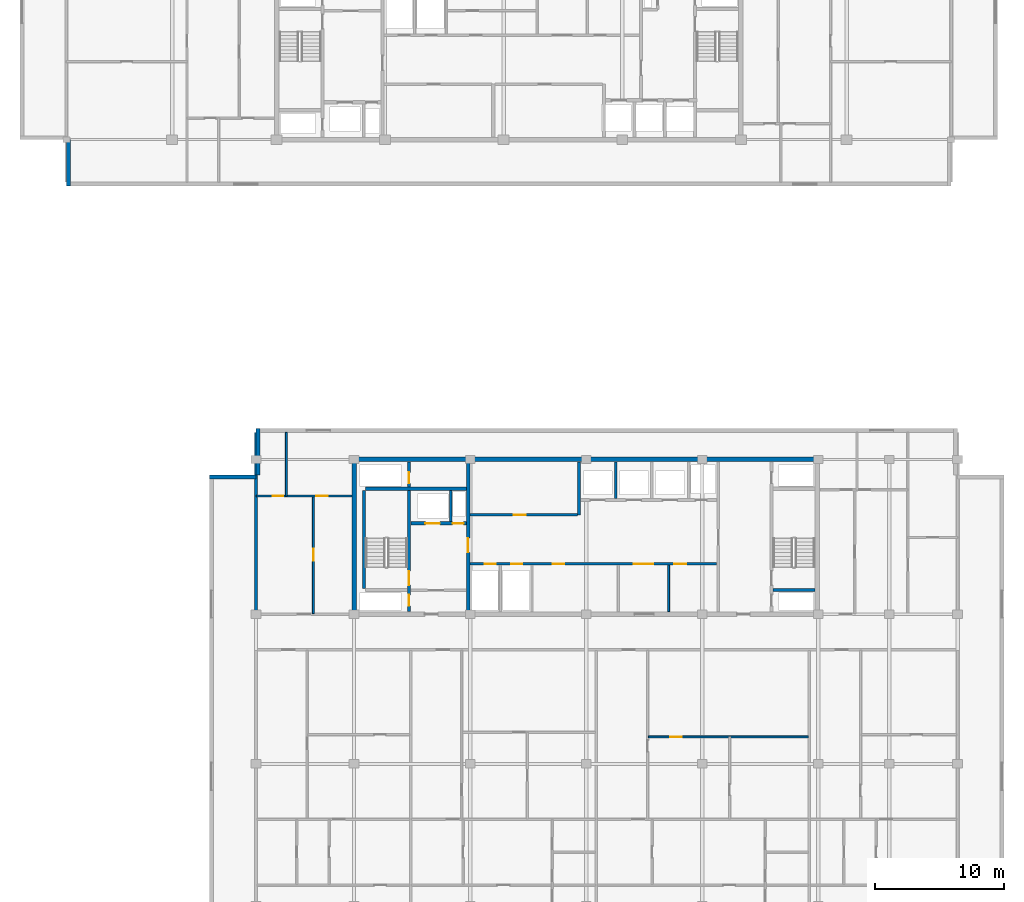
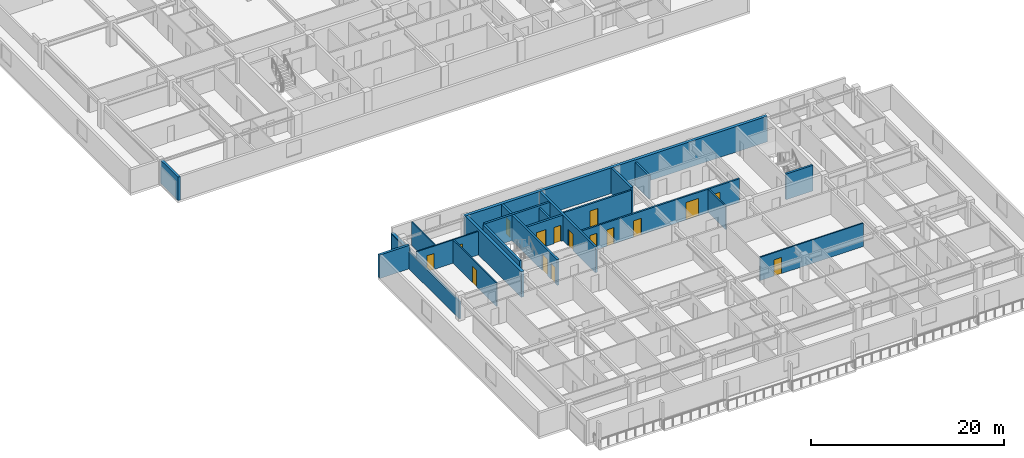
# One storey, part 6 of 21: 22 walls, 16 doors, 16 openings.
"""IFC4 building model written with IfcOpenShell, lengths in metres."""

from ifc_helpers import new_model, si_unit, direction, frame, frame_2d, origin, place, context, subcontext, project, spatial, rectangle, extrude, material, layer, layer_set, type_object, element, fill, save


model = new_model("IFC4")

# Units and contexts
model_context = context("Model", 3, precision=1e-05, world=origin(), true_north=direction((0.0, 1.0)))
body_context = subcontext(model_context, "Body", "Model", "MODEL_VIEW")
ifc_project = project(units=[si_unit("LENGTHUNIT", "METRE"), si_unit("AREAUNIT", "SQUARE_METRE"), si_unit("VOLUMEUNIT", "CUBIC_METRE"), si_unit("PLANEANGLEUNIT", "RADIAN"), si_unit("MASSUNIT", "GRAM", prefix="KILO")], contexts=[model_context])

# Site, building, storey
site_placement = place(None, origin())
site = spatial("IfcSite", under=ifc_project, at=site_placement, CompositionType="ELEMENT")
building_placement = place(site_placement, origin())
building = spatial("IfcBuilding", under=site, at=building_placement, Name="Korimba Cascade Residences", CompositionType="ELEMENT")
storey_placement = place(building_placement, frame((0.0, 0.0, 184.85009765625)))
storey = spatial("IfcBuildingStorey", under=building, at=storey_placement, Name="L53", CompositionType="ELEMENT", Elevation=184.85009765625)

# Walls
ifc_material_1 = material(Name="Precast concrete C40/50", Category="concrete")
ifc_layer_1 = layer(ifc_material_1, 0.300048828125)
ifc_layer_set_1 = layer_set([ifc_layer_1], Name="Precast concrete C40/50")
wall_type_1 = type_object("IfcWallType", Name="EW-STONE-300", PredefinedType="STANDARD", material=ifc_layer_set_1)
wall_1_placement = place(storey_placement, frame((59.949951171875, 55.199951171875, 0.0), z_axis=(0.0, 0.0, 1.0), x_axis=(0.0, -1.0, 0.0)))
element("IfcWall", 1, at=wall_1_placement, inside=storey, type_object=wall_type_1, Name="L53 T1 Perimeter Stone Wall E11", PredefinedType="STANDARD", context=body_context, shape_type="SweptSolid", body=[
    extrude(rectangle(XDim=3.599853515625, YDim=0.300048828125, at=frame_2d((1.7998046875, 0.0))), origin(), (0.0, 0.0, 1.0), 2.969970703125),
])
wall_2_placement = place(storey_placement, frame((74.64990234375, 32.800048828125, 0.0), z_axis=(0.0, 0.0, 1.0), x_axis=(0.0, -1.0, 0.0)))
element("IfcWall", 2, at=wall_2_placement, inside=storey, type_object=wall_type_1, Name="L53 T2 Perimeter Stone Wall E07", PredefinedType="STANDARD", context=body_context, shape_type="SweptSolid", body=[
    extrude(rectangle(XDim=3.60009765625, YDim=0.300048828125, at=frame_2d((1.800048828125, 0.0))), origin(), (0.0, 0.0, 1.0), 2.2001953125),
])
wall_3_placement = place(storey_placement, frame((74.5, 29.050048828125, 0.0), z_axis=(0.0, 0.0, 1.0), x_axis=(-1.0, 0.0, 0.0)))
element("IfcWall", 3, at=wall_3_placement, inside=storey, type_object=wall_type_1, Name="L53 T2 Perimeter Stone Wall E08", PredefinedType="STANDARD", context=body_context, shape_type="SweptSolid", body=[
    extrude(rectangle(XDim=3.60009765625, YDim=0.300048828125, at=frame_2d((1.800048828125, 0.0))), origin(), (0.0, 0.0, 1.0), 2.969970703125),
])
ifc_material_2 = material(Name="Concrete C65/80", Category="concrete")
ifc_layer_2 = layer(ifc_material_2, 0.35009765625)
ifc_layer_set_2 = layer_set([ifc_layer_2], Name="Concrete C65/80")
wall_type_2 = type_object("IfcWallType", Name="WAL-CORE-350", PredefinedType="SHEAR", material=ifc_layer_set_2)
wall_4_placement = place(storey_placement, frame((81.925048828125, 30.39990234375, 0.0), z_axis=(0.0, 0.0, 1.0), x_axis=(1.0, 0.0, 0.0)))
element("IfcWall", 4, at=wall_4_placement, inside=storey, type_object=wall_type_2, Name="L53 Core Shear Wall CW-L53-T2-N", PredefinedType="SHEAR", context=body_context, shape_type="SweptSolid", body=[
    extrude(rectangle(XDim=36.264892578125, YDim=0.35009765625, at=frame_2d((18.13232421875, 0.0))), origin(), (0.0, 0.0, 1.0), 3.25),
])
wall_5_placement = place(storey_placement, frame((82.10009765625, 18.574951171875, 0.0), z_axis=(0.0, 0.0, 1.0), x_axis=(0.0, 1.0, 0.0)))
element("IfcWall", 5, at=wall_5_placement, inside=storey, type_object=wall_type_2, Name="L53 Core Shear Wall CW-L53-T2-W", PredefinedType="SHEAR", context=body_context, shape_type="SweptSolid", body=[
    extrude(rectangle(XDim=11.650146484375, YDim=0.35009765625, at=frame_2d((5.8251953125, 0.0))), origin(), (0.0, 0.0, 1.0), 3.25),
])
ifc_layer_3 = layer(ifc_material_1, 0.199951171875)
ifc_layer_set_3 = layer_set([ifc_layer_3], Name="Precast concrete C40/50")
wall_type_3 = type_object("IfcWallType", Name="WAL-IT-200", PredefinedType="PARTITIONING", material=ifc_layer_set_3)
wall_6_placement = place(storey_placement, frame((74.5, 18.39990234375, 0.0), z_axis=(0.0, 0.0, 1.0), x_axis=(0.0, 1.0, 0.0)))
element("IfcWall", 6, at=wall_6_placement, inside=storey, type_object=wall_type_3, Name="L53 Partition Wall WAL-L53-T2-FW-WL", PredefinedType="PARTITIONING", context=body_context, shape_type="SweptSolid", body=[
    extrude(rectangle(XDim=14.10009765625, YDim=0.199951171875, at=frame_2d((7.050048828125, 0.0))), origin(), (0.0, 0.0, 1.0), 2.2001953125),
])
ifc_material_3 = material(Name="Insulated Acoustic Stud Partition", Category="gypsum")
ifc_layer_4 = layer(ifc_material_3, 0.14990234375)
ifc_layer_set_4 = layer_set([ifc_layer_4], Name="Insulated Acoustic Stud Partition")
wall_type_4 = type_object("IfcWallType", Name="WAL-PART-150", PredefinedType="PARTITIONING", material=ifc_layer_set_4)
wall_7_placement = place(storey_placement, frame((106.5, 18.60009765625, 0.0), z_axis=(0.0, 0.0, 1.0), x_axis=(0.0, 1.0, 0.0)))
element("IfcWall", 7, at=wall_7_placement, inside=storey, type_object=wall_type_4, Name="L53 Partition Wall CW-L53-T2-THE", PredefinedType="PARTITIONING", context=body_context, shape_type="SweptSolid", body=[
    extrude(rectangle(XDim=3.599853515625, YDim=0.14990234375, at=frame_2d((1.7998046875, 0.0))), origin(), (0.0, 0.0, 1.0), 2.969970703125),
])

# Wall, opening, door
wall_8_placement = place(storey_placement, frame((78.945068359375, 18.449951171875, 0.0), z_axis=(0.0, 0.0, 1.0), x_axis=(0.0, 1.0, 0.0)))
wall_8 = element("IfcWall", 8, at=wall_8_placement, inside=storey, type_object=wall_type_4, Name="L53 Partition Wall WAL-L53-T2-FW-VS", PredefinedType="PARTITIONING", context=body_context, shape_type="SweptSolid", body=[
    extrude(rectangle(XDim=9.1201171875, YDim=0.14990234375, at=frame_2d((4.56005859375, 0.0))), origin(), (0.0, 0.0, 1.0), 2.969970703125),
])
opening_1_placement = place(wall_8_placement, frame((4.10009765625, 0.0, 0.0)))
opening_1 = element("IfcOpeningElement", 9, at=opening_1_placement, cuts=wall_8, Name="Opening D-IN1", PredefinedType="OPENING", context=body_context, shape_type="SweptSolid", body=[
    extrude(rectangle(XDim=0.919921875, YDim=2.080078125, at=frame_2d((0.4599609375, 1.0400390625))), frame((0.0, 0.0849609375, 0.0), z_axis=(0.0, -1.0, 0.0), x_axis=(1.0, 0.0, 0.0)), (0.0, 0.0, 1.0), 0.169921875),
])
ifc_material_4 = material(Name="Acoustic Timber Living Door", Category="wood")
door_type_1 = type_object("IfcDoorType", Name="DR-INT-920", OperationType="NOTDEFINED", PredefinedType="DOOR", material=ifc_material_4)
door_1_placement = place(opening_1_placement, origin())
door_1 = element("IfcDoor", 10, at=door_1_placement, inside=storey, type_object=door_type_1, Name="L53-T2-FW Living Door", OperationType="SINGLE_SWING_RIGHT", OverallHeight=2.080078125, OverallWidth=0.919921875, PredefinedType="DOOR", context=body_context, shape_type="SweptSolid", body=[
    extrude(rectangle(XDim=0.919921875, YDim=2.080078125, at=frame_2d((0.4599609375, 1.0400390625))), frame((0.0, 0.02490234375, 0.0), z_axis=(0.0, -1.0, 0.0), x_axis=(1.0, 0.0, 0.0)), (0.0, 0.0, 1.0), 0.050048828125),
])
fill(opening_1, door_1)

# Wall
wall_9_placement = place(storey_placement, frame((76.85009765625, 27.570068359375, 0.0), z_axis=(0.0, 0.0, 1.0), x_axis=(0.0, 1.0, 0.0)))
element("IfcWall", 11, at=wall_9_placement, inside=storey, type_object=wall_type_4, Name="L53 Partition Wall WAL-L53-T2-FW-VN", PredefinedType="PARTITIONING", context=body_context, shape_type="SweptSolid", body=[
    extrude(rectangle(XDim=4.929931640625, YDim=0.14990234375, at=frame_2d((2.46484375, 0.0))), origin(), (0.0, 0.0, 1.0), 2.969970703125),
])

# Wall, openings, doors
wall_10_placement = place(storey_placement, frame((74.52001953125, 27.570068359375, 0.0), z_axis=(0.0, 0.0, 1.0), x_axis=(1.0, 0.0, 0.0)))
wall_10 = element("IfcWall", 12, at=wall_10_placement, inside=storey, type_object=wall_type_4, Name="L53 Partition Wall WAL-L53-T2-FW-H", PredefinedType="PARTITIONING", context=body_context, shape_type="SweptSolid", body=[
    extrude(rectangle(XDim=7.409912109375, YDim=0.14990234375, at=frame_2d((3.705078125, 0.0))), origin(), (0.0, 0.0, 1.0), 2.969970703125),
])
opening_2_placement = place(wall_10_placement, frame((1.266357421875, 0.0, 0.0)))
opening_2 = element("IfcOpeningElement", 13, at=opening_2_placement, cuts=wall_10, Name="Opening D-BT1", PredefinedType="OPENING", context=body_context, shape_type="SweptSolid", body=[
    extrude(rectangle(XDim=0.840087890625, YDim=2.0400390625, at=frame_2d((0.419921875, 1.02001953125))), frame((0.0, 0.0849609375, 0.0), z_axis=(0.0, -1.0, 0.0), x_axis=(1.0, 0.0, 0.0)), (0.0, 0.0, 1.0), 0.169921875),
])
opening_3_placement = place(wall_10_placement, frame((4.64501953125, 0.0, 0.0)))
opening_3 = element("IfcOpeningElement", 14, at=opening_3_placement, cuts=wall_10, Name="Opening D-IN2", PredefinedType="OPENING", context=body_context, shape_type="SweptSolid", body=[
    extrude(rectangle(XDim=0.8798828125, YDim=2.06005859375, at=frame_2d((0.43994140625, 1.030029296875))), frame((0.0, 0.0849609375, 0.0), z_axis=(0.0, -1.0, 0.0), x_axis=(1.0, 0.0, 0.0)), (0.0, 0.0, 1.0), 0.169921875),
])
ifc_material_5 = material(Name="Moisture-Resistant Bathroom Timber Door", Category="wood")
door_type_2 = type_object("IfcDoorType", Name="DR-INT-850", OperationType="NOTDEFINED", PredefinedType="DOOR", material=ifc_material_5)
door_2_placement = place(opening_2_placement, origin())
door_2 = element("IfcDoor", 15, at=door_2_placement, inside=storey, type_object=door_type_2, Name="L53-T2-FW Bathroom Door", OperationType="SINGLE_SWING_LEFT", OverallHeight=2.0400390625, OverallWidth=0.840087890625, PredefinedType="DOOR", context=body_context, shape_type="SweptSolid", body=[
    extrude(rectangle(XDim=0.840087890625, YDim=2.0400390625, at=frame_2d((0.419921875, 1.02001953125))), frame((0.0, 0.02490234375, 0.0), z_axis=(0.0, -1.0, 0.0), x_axis=(1.0, 0.0, 0.0)), (0.0, 0.0, 1.0), 0.050048828125),
])
fill(opening_2, door_2)
ifc_material_6 = material(Name="Acoustic Timber Bedroom Door", Category="wood")
door_type_3 = type_object("IfcDoorType", Name="DR-INT-880", OperationType="NOTDEFINED", PredefinedType="DOOR", material=ifc_material_6)
door_3_placement = place(opening_3_placement, origin())
door_3 = element("IfcDoor", 16, at=door_3_placement, inside=storey, type_object=door_type_3, Name="L53-T2-FW Bedroom Door", OperationType="SINGLE_SWING_RIGHT", OverallHeight=2.06005859375, OverallWidth=0.8798828125, PredefinedType="DOOR", context=body_context, shape_type="SweptSolid", body=[
    extrude(rectangle(XDim=0.8798828125, YDim=2.06005859375, at=frame_2d((0.43994140625, 1.030029296875))), frame((0.0, 0.02490234375, 0.0), z_axis=(0.0, -1.0, 0.0), x_axis=(1.0, 0.0, 0.0)), (0.0, 0.0, 1.0), 0.050048828125),
])
fill(opening_3, door_3)

# Wall, opening, door
wall_11_placement = place(storey_placement, frame((104.921630859375, 8.885009765625, 0.0), z_axis=(0.0, 0.0, 1.0), x_axis=(1.0, 0.0, 0.0)))
wall_11 = element("IfcWall", 17, at=wall_11_placement, inside=storey, type_object=wall_type_4, Name="L53 Partition Wall WAL-L53-T2-U03-FMH", PredefinedType="PARTITIONING", context=body_context, shape_type="SweptSolid", body=[
    extrude(rectangle(XDim=12.40673828125, YDim=0.14990234375, at=frame_2d((6.203369140625, 0.0))), origin(), (0.0, 0.0, 1.0), 2.969970703125),
])
opening_4_placement = place(wall_11_placement, frame((1.708984375, 0.0, 0.0)))
opening_4 = element("IfcOpeningElement", 18, at=opening_4_placement, cuts=wall_11, Name="Opening D-IN2", PredefinedType="OPENING", context=body_context, shape_type="SweptSolid", body=[
    extrude(rectangle(XDim=0.8798828125, YDim=2.06005859375, at=frame_2d((0.43994140625, 1.030029296875))), frame((0.0, 0.0849609375, 0.0), z_axis=(0.0, -1.0, 0.0), x_axis=(1.0, 0.0, 0.0)), (0.0, 0.0, 1.0), 0.169921875),
])
door_4_placement = place(opening_4_placement, origin())
door_4 = element("IfcDoor", 19, at=door_4_placement, inside=storey, type_object=door_type_3, Name="L53-T2-U03 Library Salon Door", OperationType="SINGLE_SWING_RIGHT", OverallHeight=2.06005859375, OverallWidth=0.8798828125, PredefinedType="DOOR", context=body_context, shape_type="SweptSolid", body=[
    extrude(rectangle(XDim=0.8798828125, YDim=2.06005859375, at=frame_2d((0.43994140625, 1.030029296875))), frame((0.0, 0.02490234375, 0.0), z_axis=(0.0, -1.0, 0.0), x_axis=(1.0, 0.0, 0.0)), (0.0, 0.0, 1.0), 0.050048828125),
])
fill(opening_4, door_4)

# Wall
ifc_material_7 = material(Name="Concrete C40/50", Category="concrete")
ifc_layer_5 = layer(ifc_material_7, 0.199951171875)
ifc_layer_set_5 = layer_set([ifc_layer_5], Name="Concrete C40/50")
wall_type_5 = type_object("IfcWallType", Name="WAL-PART-200", PredefinedType="PARTITIONING", material=ifc_layer_set_5)
wall_12_placement = place(storey_placement, frame((89.60009765625, 25.580078125, 0.0), z_axis=(0.0, 0.0, 1.0), x_axis=(0.0, 1.0, 0.0)))
element("IfcWall", 20, at=wall_12_placement, inside=storey, type_object=wall_type_5, Name="L53 Partition Wall CW-L53-T2-FFLDIV", PredefinedType="PARTITIONING", context=body_context, shape_type="SweptSolid", body=[
    extrude(rectangle(XDim=2.419921875, YDim=0.199951171875, at=frame_2d((1.2099609375, 0.0))), origin(), (0.0, 0.0, 1.0), 2.969970703125),
])

# Wall, opening, door
wall_13_placement = place(storey_placement, frame((91.080078125, 26.10009765625, 0.0), z_axis=(0.0, 0.0, 1.0), x_axis=(1.0, 0.0, 0.0)))
wall_13 = element("IfcWall", 21, at=wall_13_placement, inside=storey, type_object=wall_type_5, Name="L53 Partition Wall CW-L53-T2-B1RS", PredefinedType="PARTITIONING", context=body_context, shape_type="SweptSolid", body=[
    extrude(rectangle(XDim=8.33984375, YDim=0.199951171875, at=frame_2d((4.169921875, 0.0))), origin(), (0.0, 0.0, 1.0), 2.969970703125),
])
opening_5_placement = place(wall_13_placement, frame((3.39990234375, 0.0, 0.0)))
opening_5 = element("IfcOpeningElement", 22, at=opening_5_placement, cuts=wall_13, Name="Opening D-ST1", PredefinedType="OPENING", context=body_context, shape_type="SweptSolid", body=[
    extrude(rectangle(XDim=0.919921875, YDim=2.080078125, at=frame_2d((0.4599609375, 1.0400390625))), frame((0.0, 0.10986328125, 0.0), z_axis=(0.0, -1.0, 0.0), x_axis=(1.0, 0.0, 0.0)), (0.0, 0.0, 1.0), 0.219970703125),
])
ifc_material_8 = material(Name="Fire-Rated Core Store Door", Category="wood")
door_type_4 = type_object("IfcDoorType", Name="DR-FD60-920", OperationType="NOTDEFINED", PredefinedType="DOOR", material=ifc_material_8)
door_5_placement = place(opening_5_placement, origin())
door_5 = element("IfcDoor", 23, at=door_5_placement, inside=storey, type_object=door_type_4, Name="L53 T2 Resident Storage Door", OperationType="SINGLE_SWING_RIGHT", OverallHeight=2.080078125, OverallWidth=0.919921875, PredefinedType="DOOR", context=body_context, shape_type="SweptSolid", body=[
    extrude(rectangle(XDim=0.919921875, YDim=2.080078125, at=frame_2d((0.4599609375, 1.0400390625))), frame((0.0, 0.02490234375, 0.0), z_axis=(0.0, -1.0, 0.0), x_axis=(1.0, 0.0, 0.0)), (0.0, 0.0, 1.0), 0.050048828125),
])
fill(opening_5, door_5)

# Wall
wall_14_placement = place(storey_placement, frame((102.39990234375, 27.3798828125, 0.0), z_axis=(0.0, 0.0, 1.0), x_axis=(0.0, 1.0, 0.0)))
element("IfcWall", 24, at=wall_14_placement, inside=storey, type_object=wall_type_5, Name="L53 Partition Wall CW-L53-T2-B2D1", PredefinedType="PARTITIONING", context=body_context, shape_type="SweptSolid", body=[
    extrude(rectangle(XDim=2.820068359375, YDim=0.199951171875, at=frame_2d((1.41015625, 0.0))), origin(), (0.0, 0.0, 1.0), 2.969970703125),
])

# Wall, openings, doors
wall_15_placement = place(storey_placement, frame((91.080078125, 22.300048828125, 0.0), z_axis=(0.0, 0.0, 1.0), x_axis=(1.0, 0.0, 0.0)))
wall_15 = element("IfcWall", 25, at=wall_15_placement, inside=storey, type_object=wall_type_5, Name="L53 Partition Wall CW-L53-T2-SRVROW", PredefinedType="PARTITIONING", context=body_context, shape_type="SweptSolid", body=[
    extrude(rectangle(XDim=19.139892578125, YDim=0.199951171875, at=frame_2d((9.56982421875, 0.0))), origin(), (0.0, 0.0, 1.0), 2.969970703125),
])
opening_6_placement = place(wall_15_placement, frame((1.14990234375, 0.0, 0.0)))
opening_6 = element("IfcOpeningElement", 26, at=opening_6_placement, cuts=wall_15, Name="Opening D-RS1", PredefinedType="OPENING", context=body_context, shape_type="SweptSolid", body=[
    extrude(rectangle(XDim=0.85009765625, YDim=2.050048828125, at=frame_2d((0.425048828125, 1.02490234375))), frame((0.0, 0.10986328125, 0.0), z_axis=(0.0, -1.0, 0.0), x_axis=(1.0, 0.0, 0.0)), (0.0, 0.0, 1.0), 0.219970703125),
])
opening_7_placement = place(wall_15_placement, frame((3.199951171875, 0.0, 0.0)))
opening_7 = element("IfcOpeningElement", 27, at=opening_7_placement, cuts=wall_15, Name="Opening D-RS1", PredefinedType="OPENING", context=body_context, shape_type="SweptSolid", body=[
    extrude(rectangle(XDim=0.85009765625, YDim=2.050048828125, at=frame_2d((0.425048828125, 1.02490234375))), frame((0.0, 0.10986328125, 0.0), z_axis=(0.0, -1.0, 0.0), x_axis=(1.0, 0.0, 0.0)), (0.0, 0.0, 1.0), 0.219970703125),
])
opening_8_placement = place(wall_15_placement, frame((12.719970703125, 0.0, 0.0)))
opening_8 = element("IfcOpeningElement", 28, at=opening_8_placement, cuts=wall_15, Name="Opening D-FD8", PredefinedType="OPENING", context=body_context, shape_type="SweptSolid", body=[
    extrude(rectangle(XDim=1.5, YDim=2.199951171875, at=frame_2d((0.75, 1.10009765625))), frame((0.0, 0.10986328125, 0.0), z_axis=(0.0, -1.0, 0.0), x_axis=(1.0, 0.0, 0.0)), (0.0, 0.0, 1.0), 0.219970703125),
])
opening_9_placement = place(wall_15_placement, frame((6.419921875, 0.0, 0.0)))
opening_9 = element("IfcOpeningElement", 29, at=opening_9_placement, cuts=wall_15, Name="Opening D-IN1", PredefinedType="OPENING", context=body_context, shape_type="SweptSolid", body=[
    extrude(rectangle(XDim=0.919921875, YDim=2.080078125, at=frame_2d((0.4599609375, 1.0400390625))), frame((0.0, 0.10986328125, 0.0), z_axis=(0.0, -1.0, 0.0), x_axis=(1.0, 0.0, 0.0)), (0.0, 0.0, 1.0), 0.219970703125),
])
opening_10_placement = place(wall_15_placement, frame((15.8701171875, 0.0, 0.0)))
opening_10 = element("IfcOpeningElement", 30, at=opening_10_placement, cuts=wall_15, Name="Opening D-IN1", PredefinedType="OPENING", context=body_context, shape_type="SweptSolid", body=[
    extrude(rectangle(XDim=0.919921875, YDim=2.080078125, at=frame_2d((0.4599609375, 1.0400390625))), frame((0.0, 0.10986328125, 0.0), z_axis=(0.0, -1.0, 0.0), x_axis=(1.0, 0.0, 0.0)), (0.0, 0.0, 1.0), 0.219970703125),
])
ifc_material_9 = material(Name="Fire-Rated Steel Riser Access Door", Category="steel")
door_type_5 = type_object("IfcDoorType", Name="DR-FD60-850", OperationType="NOTDEFINED", PredefinedType="DOOR", material=ifc_material_9)
door_6_placement = place(opening_6_placement, origin())
door_6 = element("IfcDoor", 31, at=door_6_placement, inside=storey, type_object=door_type_5, Name="L53 T2 Electrical Riser Door", OperationType="SINGLE_SWING_RIGHT", OverallHeight=2.050048828125, OverallWidth=0.85009765625, PredefinedType="DOOR", context=body_context, shape_type="SweptSolid", body=[
    extrude(rectangle(XDim=0.85009765625, YDim=2.050048828125, at=frame_2d((0.425048828125, 1.02490234375))), frame((0.0, 0.02490234375, 0.0), z_axis=(0.0, -1.0, 0.0), x_axis=(1.0, 0.0, 0.0)), (0.0, 0.0, 1.0), 0.050048828125),
])
fill(opening_6, door_6)
door_7_placement = place(opening_7_placement, origin())
door_7 = element("IfcDoor", 32, at=door_7_placement, inside=storey, type_object=door_type_5, Name="L53 T2 Plumbing Riser Door", OperationType="SINGLE_SWING_LEFT", OverallHeight=2.050048828125, OverallWidth=0.85009765625, PredefinedType="DOOR", context=body_context, shape_type="SweptSolid", body=[
    extrude(rectangle(XDim=0.85009765625, YDim=2.050048828125, at=frame_2d((0.425048828125, 1.02490234375))), frame((0.0, 0.02490234375, 0.0), z_axis=(0.0, -1.0, 0.0), x_axis=(1.0, 0.0, 0.0)), (0.0, 0.0, 1.0), 0.050048828125),
])
fill(opening_7, door_7)
ifc_material_10 = material(Name="Fire-Rated Glazed Lift Lobby Double Door", Category="glass")
door_type_6 = type_object("IfcDoorType", Name="DR-FD90-1500", OperationType="NOTDEFINED", PredefinedType="DOOR", material=ifc_material_10)
door_8_placement = place(opening_8_placement, origin())
door_8 = element("IfcDoor", 33, at=door_8_placement, inside=storey, type_object=door_type_6, Name="L53 T2 Lift Lobby Foyer Door", OperationType="DOUBLE_DOOR_SINGLE_SWING", OverallHeight=2.199951171875, OverallWidth=1.5, PredefinedType="DOOR", context=body_context, shape_type="SweptSolid", body=[
    extrude(rectangle(XDim=1.5, YDim=2.199951171875, at=frame_2d((0.75, 1.10009765625))), frame((0.0, 0.02490234375, 0.0), z_axis=(0.0, -1.0, 0.0), x_axis=(1.0, 0.0, 0.0)), (0.0, 0.0, 1.0), 0.050048828125),
])
fill(opening_8, door_8)
door_9_placement = place(opening_9_placement, origin())
door_9 = element("IfcDoor", 34, at=door_9_placement, inside=storey, type_object=door_type_1, Name="L53 T2 Housekeeping Door", OperationType="SINGLE_SWING_RIGHT", OverallHeight=2.080078125, OverallWidth=0.919921875, PredefinedType="DOOR", context=body_context, shape_type="SweptSolid", body=[
    extrude(rectangle(XDim=0.919921875, YDim=2.080078125, at=frame_2d((0.4599609375, 1.0400390625))), frame((0.0, 0.02490234375, 0.0), z_axis=(0.0, -1.0, 0.0), x_axis=(1.0, 0.0, 0.0)), (0.0, 0.0, 1.0), 0.050048828125),
])
fill(opening_9, door_9)
door_10_placement = place(opening_10_placement, origin())
door_10 = element("IfcDoor", 35, at=door_10_placement, inside=storey, type_object=door_type_1, Name="L53 T2 Store Door", OperationType="SINGLE_SWING_LEFT", OverallHeight=2.080078125, OverallWidth=0.919921875, PredefinedType="DOOR", context=body_context, shape_type="SweptSolid", body=[
    extrude(rectangle(XDim=0.919921875, YDim=2.080078125, at=frame_2d((0.4599609375, 1.0400390625))), frame((0.0, 0.02490234375, 0.0), z_axis=(0.0, -1.0, 0.0), x_axis=(1.0, 0.0, 0.0)), (0.0, 0.0, 1.0), 0.050048828125),
])
fill(opening_10, door_10)

# Wall
ifc_material_11 = material(Name="Concrete C50/60", Category="concrete")
ifc_layer_6 = layer(ifc_material_11, 0.25)
ifc_layer_set_6 = layer_set([ifc_layer_6], Name="Concrete C50/60")
wall_type_6 = type_object("IfcWallType", Name="WAL-SHAFT-250", PredefinedType="SHEAR", material=ifc_layer_set_6)
wall_16_placement = place(storey_placement, frame((82.875, 20.39990234375, 0.0), z_axis=(0.0, 0.0, 1.0), x_axis=(0.0, 1.0, 0.0)))
element("IfcWall", 36, at=wall_16_placement, inside=storey, type_object=wall_type_6, Name="L53 Core Shear Wall CW-L53-T2-STE1W", PredefinedType="SHEAR", context=body_context, shape_type="SweptSolid", body=[
    extrude(rectangle(XDim=7.60009765625, YDim=0.25, at=frame_2d((3.800048828125, 0.0))), origin(), (0.0, 0.0, 1.0), 3.25),
])

# Wall, openings, doors
wall_17_placement = place(storey_placement, frame((86.364990234375, 18.60009765625, 0.0), z_axis=(0.0, 0.0, 1.0), x_axis=(0.0, 1.0, 0.0)))
wall_17 = element("IfcWall", 37, at=wall_17_placement, inside=storey, type_object=wall_type_6, Name="L53 Core Shear Wall CW-L53-T2-STE1E", PredefinedType="SHEAR", context=body_context, shape_type="SweptSolid", body=[
    extrude(rectangle(XDim=11.599853515625, YDim=0.25, at=frame_2d((5.7998046875, 0.0))), origin(), (0.0, 0.0, 1.0), 3.25),
])
opening_11_placement = place(wall_17_placement, frame((0.449951171875, 0.0, 0.0)))
opening_11 = element("IfcOpeningElement", 38, at=opening_11_placement, cuts=wall_17, Name="Opening D-RS1", PredefinedType="OPENING", context=body_context, shape_type="SweptSolid", body=[
    extrude(rectangle(XDim=0.85009765625, YDim=2.050048828125, at=frame_2d((0.425048828125, 1.02490234375))), frame((0.0, 0.135009765625, 0.0), z_axis=(0.0, -1.0, 0.0), x_axis=(1.0, 0.0, 0.0)), (0.0, 0.0, 1.0), 0.27001953125),
])
opening_12_placement = place(wall_17_placement, frame((2.050048828125, 0.0, 0.0)))
opening_12 = element("IfcOpeningElement", 39, at=opening_12_placement, cuts=wall_17, Name="Opening D-FD1", PredefinedType="OPENING", context=body_context, shape_type="SweptSolid", body=[
    extrude(rectangle(XDim=1.10009765625, YDim=2.10009765625, at=frame_2d((0.550048828125, 1.050048828125))), frame((0.0, 0.135009765625, 0.0), z_axis=(0.0, -1.0, 0.0), x_axis=(1.0, 0.0, 0.0)), (0.0, 0.0, 1.0), 0.27001953125),
])
opening_13_placement = place(wall_17_placement, frame((9.949951171875, 0.0, 0.0)))
opening_13 = element("IfcOpeningElement", 40, at=opening_13_placement, cuts=wall_17, Name="Opening D-RS1", PredefinedType="OPENING", context=body_context, shape_type="SweptSolid", body=[
    extrude(rectangle(XDim=0.85009765625, YDim=2.050048828125, at=frame_2d((0.425048828125, 1.02490234375))), frame((0.0, 0.135009765625, 0.0), z_axis=(0.0, -1.0, 0.0), x_axis=(1.0, 0.0, 0.0)), (0.0, 0.0, 1.0), 0.27001953125),
])
ifc_material_12 = material(Name="Fire-Rated Steel Core Door", Category="steel")
door_type_7 = type_object("IfcDoorType", Name="DR-FD120-1100", OperationType="NOTDEFINED", PredefinedType="DOOR", material=ifc_material_12)
door_11_placement = place(opening_12_placement, origin())
door_11 = element("IfcDoor", 41, at=door_11_placement, inside=storey, type_object=door_type_7, Name="L53 Fire Stair ST-E1 Door", OperationType="SINGLE_SWING_LEFT", OverallHeight=2.10009765625, OverallWidth=1.10009765625, PredefinedType="DOOR", context=body_context, shape_type="SweptSolid", body=[
    extrude(rectangle(XDim=1.10009765625, YDim=2.10009765625, at=frame_2d((0.550048828125, 1.050048828125))), frame((0.0, 0.02490234375, 0.0), z_axis=(0.0, -1.0, 0.0), x_axis=(1.0, 0.0, 0.0)), (0.0, 0.0, 1.0), 0.050048828125),
])
fill(opening_12, door_11)
door_12_placement = place(opening_11_placement, origin())
door_12 = element("IfcDoor", 42, at=door_12_placement, inside=storey, type_object=door_type_5, Name="L53 T2 Hydrant Riser Door", OperationType="SINGLE_SWING_RIGHT", OverallHeight=2.050048828125, OverallWidth=0.85009765625, PredefinedType="DOOR", context=body_context, shape_type="SweptSolid", body=[
    extrude(rectangle(XDim=0.85009765625, YDim=2.050048828125, at=frame_2d((0.425048828125, 1.02490234375))), frame((0.0, 0.02490234375, 0.0), z_axis=(0.0, -1.0, 0.0), x_axis=(1.0, 0.0, 0.0)), (0.0, 0.0, 1.0), 0.050048828125),
])
fill(opening_11, door_12)
door_13_placement = place(opening_13_placement, origin())
door_13 = element("IfcDoor", 43, at=door_13_placement, inside=storey, type_object=door_type_5, Name="L53 T2 Smoke Shaft Door", OperationType="SINGLE_SWING_RIGHT", OverallHeight=2.050048828125, OverallWidth=0.85009765625, PredefinedType="DOOR", context=body_context, shape_type="SweptSolid", body=[
    extrude(rectangle(XDim=0.85009765625, YDim=2.050048828125, at=frame_2d((0.425048828125, 1.02490234375))), frame((0.0, 0.02490234375, 0.0), z_axis=(0.0, -1.0, 0.0), x_axis=(1.0, 0.0, 0.0)), (0.0, 0.0, 1.0), 0.050048828125),
])
fill(opening_13, door_13)

# Wall
wall_18_placement = place(storey_placement, frame((83.0, 28.125, 0.0), z_axis=(0.0, 0.0, 1.0), x_axis=(1.0, 0.0, 0.0)))
element("IfcWall", 44, at=wall_18_placement, inside=storey, type_object=wall_type_6, Name="L53 Core Shear Wall CW-L53-T2-STE1N", PredefinedType="SHEAR", context=body_context, shape_type="SweptSolid", body=[
    extrude(rectangle(XDim=7.820068359375, YDim=0.25, at=frame_2d((3.91015625, 0.0))), origin(), (0.0, 0.0, 1.0), 3.25),
])

# Wall, openings, doors
wall_19_placement = place(storey_placement, frame((86.5, 25.449951171875, 0.0), z_axis=(0.0, 0.0, 1.0), x_axis=(1.0, 0.0, 0.0)))
wall_19 = element("IfcWall", 45, at=wall_19_placement, inside=storey, type_object=wall_type_6, Name="L53 Core Shear Wall CW-L53-T2-FFLN", PredefinedType="SHEAR", context=body_context, shape_type="SweptSolid", body=[
    extrude(rectangle(XDim=4.320068359375, YDim=0.25, at=frame_2d((2.16015625, 0.0))), origin(), (0.0, 0.0, 1.0), 3.25),
])
opening_14_placement = place(wall_19_placement, frame((1.139892578125, 0.0, 0.0)))
opening_14 = element("IfcOpeningElement", 46, at=opening_14_placement, cuts=wall_19, Name="Opening LD-01", PredefinedType="OPENING", context=body_context, shape_type="SweptSolid", body=[
    extrude(rectangle(XDim=1.1201171875, YDim=2.1201171875, at=frame_2d((0.56005859375, 1.06005859375))), frame((0.0, 0.135009765625, 0.0), z_axis=(0.0, -1.0, 0.0), x_axis=(1.0, 0.0, 0.0)), (0.0, 0.0, 1.0), 0.27001953125),
])
opening_15_placement = place(wall_19_placement, frame((3.25, 0.0, 0.0)))
opening_15 = element("IfcOpeningElement", 47, at=opening_15_placement, cuts=wall_19, Name="Opening D-RS1", PredefinedType="OPENING", context=body_context, shape_type="SweptSolid", body=[
    extrude(rectangle(XDim=0.85009765625, YDim=2.050048828125, at=frame_2d((0.425048828125, 1.02490234375))), frame((0.0, 0.135009765625, 0.0), z_axis=(0.0, -1.0, 0.0), x_axis=(1.0, 0.0, 0.0)), (0.0, 0.0, 1.0), 0.27001953125),
])
door_14_placement = place(opening_15_placement, origin())
door_14 = element("IfcDoor", 48, at=door_14_placement, inside=storey, type_object=door_type_5, Name="L53 T2 Pressurisation Riser Door", OperationType="SINGLE_SWING_LEFT", OverallHeight=2.050048828125, OverallWidth=0.85009765625, PredefinedType="DOOR", context=body_context, shape_type="SweptSolid", body=[
    extrude(rectangle(XDim=0.85009765625, YDim=2.050048828125, at=frame_2d((0.425048828125, 1.02490234375))), frame((0.0, 0.02490234375, 0.0), z_axis=(0.0, -1.0, 0.0), x_axis=(1.0, 0.0, 0.0)), (0.0, 0.0, 1.0), 0.050048828125),
])
fill(opening_15, door_14)
ifc_material_13 = material(Name="Stainless Steel Lift Landing Sliding Door", Category="steel")
door_type_8 = type_object("IfcDoorType", Name="DR-LIFT-1100", OperationType="NOTDEFINED", PredefinedType="DOOR", material=ifc_material_13)
door_15_placement = place(opening_14_placement, origin())
door_15 = element("IfcDoor", 49, at=door_15_placement, inside=storey, type_object=door_type_8, Name="L53 Firefighting Lift Landing Door FFL-E1", OperationType="SLIDING_TO_RIGHT", OverallHeight=2.1201171875, OverallWidth=1.1201171875, PredefinedType="DOOR", context=body_context, shape_type="SweptSolid", body=[
    extrude(rectangle(XDim=1.1201171875, YDim=2.1201171875, at=frame_2d((0.56005859375, 1.06005859375))), frame((0.0, 0.02490234375, 0.0), z_axis=(0.0, -1.0, 0.0), x_axis=(1.0, 0.0, 0.0)), (0.0, 0.0, 1.0), 0.050048828125),
])
fill(opening_14, door_15)

# Wall, opening, door
wall_20_placement = place(storey_placement, frame((90.949951171875, 18.60009765625, 0.0), z_axis=(0.0, 0.0, 1.0), x_axis=(0.0, 1.0, 0.0)))
wall_20 = element("IfcWall", 50, at=wall_20_placement, inside=storey, type_object=wall_type_6, Name="L53 Core Shear Wall CW-L53-T2-FFLE", PredefinedType="SHEAR", context=body_context, shape_type="SweptSolid", body=[
    extrude(rectangle(XDim=11.599853515625, YDim=0.25, at=frame_2d((5.7998046875, 0.0))), origin(), (0.0, 0.0, 1.0), 3.25),
])
opening_16_placement = place(wall_20_placement, frame((4.60009765625, 0.0, 0.0)))
opening_16 = element("IfcOpeningElement", 51, at=opening_16_placement, cuts=wall_20, Name="Opening D-FD1", PredefinedType="OPENING", context=body_context, shape_type="SweptSolid", body=[
    extrude(rectangle(XDim=1.10009765625, YDim=2.10009765625, at=frame_2d((0.550048828125, 1.050048828125))), frame((0.0, 0.135009765625, 0.0), z_axis=(0.0, -1.0, 0.0), x_axis=(1.0, 0.0, 0.0)), (0.0, 0.0, 1.0), 0.27001953125),
])
door_16_placement = place(opening_16_placement, origin())
door_16 = element("IfcDoor", 52, at=door_16_placement, inside=storey, type_object=door_type_7, Name="L53 T2 Firefighting Lobby to Lift Lobby Door", OperationType="SINGLE_SWING_LEFT", OverallHeight=2.10009765625, OverallWidth=1.10009765625, PredefinedType="DOOR", context=body_context, shape_type="SweptSolid", body=[
    extrude(rectangle(XDim=1.10009765625, YDim=2.10009765625, at=frame_2d((0.550048828125, 1.050048828125))), frame((0.0, 0.02490234375, 0.0), z_axis=(0.0, -1.0, 0.0), x_axis=(1.0, 0.0, 0.0)), (0.0, 0.0, 1.0), 0.050048828125),
])
fill(opening_16, door_16)

# Walls
wall_21_placement = place(storey_placement, frame((99.550048828125, 26.10009765625, 0.0), z_axis=(0.0, 0.0, 1.0), x_axis=(0.0, 1.0, 0.0)))
element("IfcWall", 53, at=wall_21_placement, inside=storey, type_object=wall_type_6, Name="L53 Core Shear Wall CW-L53-T2-B12DIV", PredefinedType="SHEAR", context=body_context, shape_type="SweptSolid", body=[
    extrude(rectangle(XDim=4.099853515625, YDim=0.25, at=frame_2d((2.0498046875, 0.0))), origin(), (0.0, 0.0, 1.0), 3.25),
])
wall_22_placement = place(storey_placement, frame((114.60009765625, 20.27490234375, 0.0), z_axis=(0.0, 0.0, 1.0), x_axis=(1.0, 0.0, 0.0)))
element("IfcWall", 54, at=wall_22_placement, inside=storey, type_object=wall_type_6, Name="L53 Core Shear Wall CW-L53-T2-STE2S", PredefinedType="SHEAR", context=body_context, shape_type="SweptSolid", body=[
    extrude(rectangle(XDim=3.239990234375, YDim=0.25, at=frame_2d((1.6201171875, 0.0))), origin(), (0.0, 0.0, 1.0), 3.25),
])

save(model, "model.ifc")
